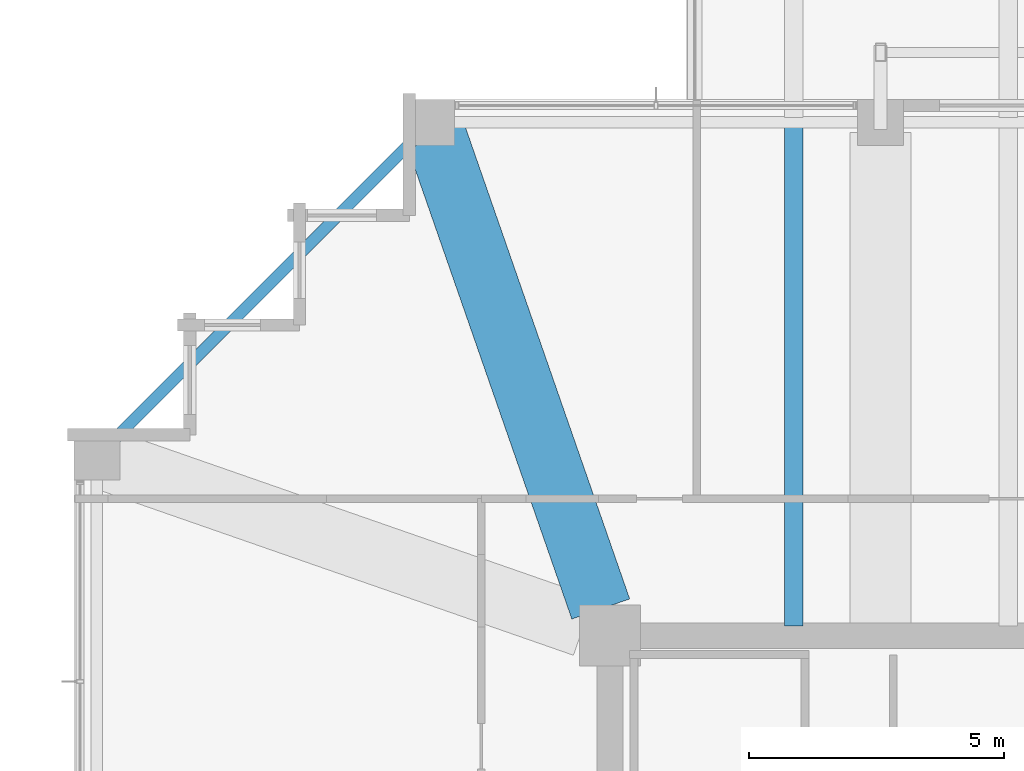
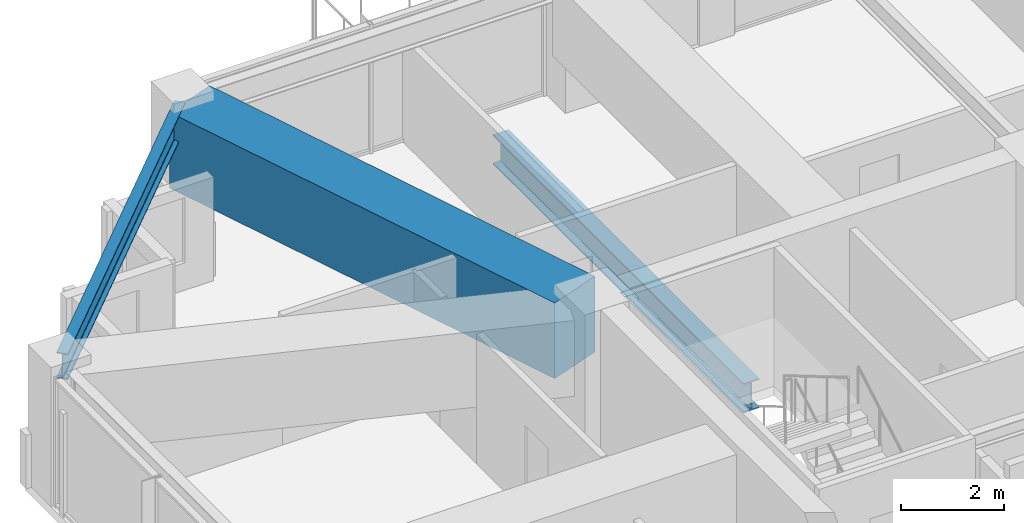
# One storey, part 17 of 37: 3 beams.
"""IFC4 building model written with IfcOpenShell, lengths in metres."""

from ifc_helpers import new_model, si_unit, direction, frame, origin, origin_2d, place, context, subcontext, project, spatial, rectangle, i_section, extrude, material, material_profile, profile_set, type_object, element, save


model = new_model("IFC4")

# Units and contexts
model_context = context("Model", 3, precision=1e-05, world=origin(), true_north=direction((0.0, 1.0)))
body_context = subcontext(model_context, "Body", "Model", "MODEL_VIEW")
ifc_project = project(units=[si_unit("LENGTHUNIT", "METRE"), si_unit("AREAUNIT", "SQUARE_METRE"), si_unit("VOLUMEUNIT", "CUBIC_METRE"), si_unit("PLANEANGLEUNIT", "RADIAN"), si_unit("MASSUNIT", "GRAM", prefix="KILO")], contexts=[model_context])

# Site, building, storey
site_placement = place(None, origin())
site = spatial("IfcSite", under=ifc_project, at=site_placement, CompositionType="ELEMENT")
building_placement = place(site_placement, origin())
building = spatial("IfcBuilding", under=site, at=building_placement, Name="Kolvaren Belvedere", CompositionType="ELEMENT")
storey_placement = place(building_placement, frame((0.0, 0.0, 186.60009765625)))
storey = spatial("IfcBuildingStorey", under=building, at=storey_placement, Name="L54", CompositionType="ELEMENT", Elevation=186.60009765625)

# Beams
ifc_material_1 = material(Name="Structural steel ASTM A992 Grade 50", Category="steel")
ifc_material_profile_1 = material_profile(ifc_material_1, i_section(OverallWidth=0.35498046875, OverallDepth=0.696044921875, WebThickness=0.015380859375, FlangeThickness=0.02490234375, FilletRadius=0.02197265625, at=origin_2d()), Name="W27X146")
ifc_profile_set_1 = profile_set([ifc_material_profile_1], Name="Structural steel ASTM A992 Grade 50")
beam_type_1 = type_object("IfcBeamType", Name="BM-GIRD-W27X146", PredefinedType="BEAM", material=ifc_profile_set_1)
beam_1_placement = place(storey_placement, frame((-6.300048828125, 10.090087890625, -0.568115234375), z_axis=(0.0, 1.0, 0.0), x_axis=(-1.0, 0.0, 0.0)))
element("IfcBeam", 1, at=beam_1_placement, inside=storey, type_object=beam_type_1, Name="L54 Balcony Interior Back-Span Girder SPIRAL-08-N-1", PredefinedType="BEAM", context=body_context, shape_type="SweptSolid", body=[
    extrude(i_section(OverallWidth=0.35498046875, OverallDepth=0.696044921875, WebThickness=0.015380859375, FlangeThickness=0.02490234375, FilletRadius=0.02197265625, at=origin_2d()), origin(), (0.0, 0.0, 1.0), 9.764892578125),
])
ifc_material_2 = material(Name="Structural steel ASTM A992 Grade 50", Category="steel")
ifc_material_profile_2 = material_profile(ifc_material_2, i_section(OverallWidth=0.22900390625, OverallDepth=0.612060546875, WebThickness=0.011962890625, FlangeThickness=0.01953125, FilletRadius=0.01806640625, at=origin_2d()), Name="W24X84")
ifc_profile_set_2 = profile_set([ifc_material_profile_2], Name="Structural steel ASTM A992 Grade 50")
beam_type_2 = type_object("IfcBeamType", Name="BM-SPAN-W24X84", PredefinedType="SPANDREL", material=ifc_profile_set_2)
beam_2_placement = place(storey_placement, frame((-13.543212890625, 19.806884765625, 2.77392578125), z_axis=(-0.707106781187, -0.707106781187, 0.0), x_axis=(0.707106781187, -0.707106781187, 0.0)))
element("IfcBeam", 2, at=beam_2_placement, inside=storey, type_object=beam_type_2, Name="L54 Perimeter Spandrel N1-W4", PredefinedType="SPANDREL", context=body_context, shape_type="SweptSolid", body=[
    extrude(i_section(OverallWidth=0.22900390625, OverallDepth=0.612060546875, WebThickness=0.011962890625, FlangeThickness=0.01953125, FilletRadius=0.01806640625, at=origin_2d()), origin(), (0.0, 0.0, 1.0), 8.858154296875),
])
ifc_material_3 = material(Name="Concrete C50/60", Category="concrete")
ifc_material_profile_3 = material_profile(ifc_material_3, rectangle(XDim=1.199951171875, YDim=1.800048828125, at=origin_2d()), Name="RC 1200X1800")
ifc_profile_set_3 = profile_set([ifc_material_profile_3], Name="Concrete C50/60")
beam_type_3 = type_object("IfcBeamType", Name="BM-TG-1800", PredefinedType="BEAM", material=ifc_profile_set_3)
beam_3_placement = place(storey_placement, frame((-10.080810546875, 10.41943359375, 2.179931640625), z_axis=(-0.328894130701, 0.944366798861, 0.0), x_axis=(-0.944366798861, -0.328894130701, 0.0)))
element("IfcBeam", 3, at=beam_3_placement, inside=storey, type_object=beam_type_3, Name="L54 Corner Core-to-Perimeter Girder CC4-N1", PredefinedType="BEAM", context=body_context, shape_type="SweptSolid", body=[
    extrude(rectangle(XDim=1.199951171875, YDim=1.800048828125, at=origin_2d()), origin(), (0.0, 0.0, 1.0), 9.912109375),
])

save(model, "model.ifc")
